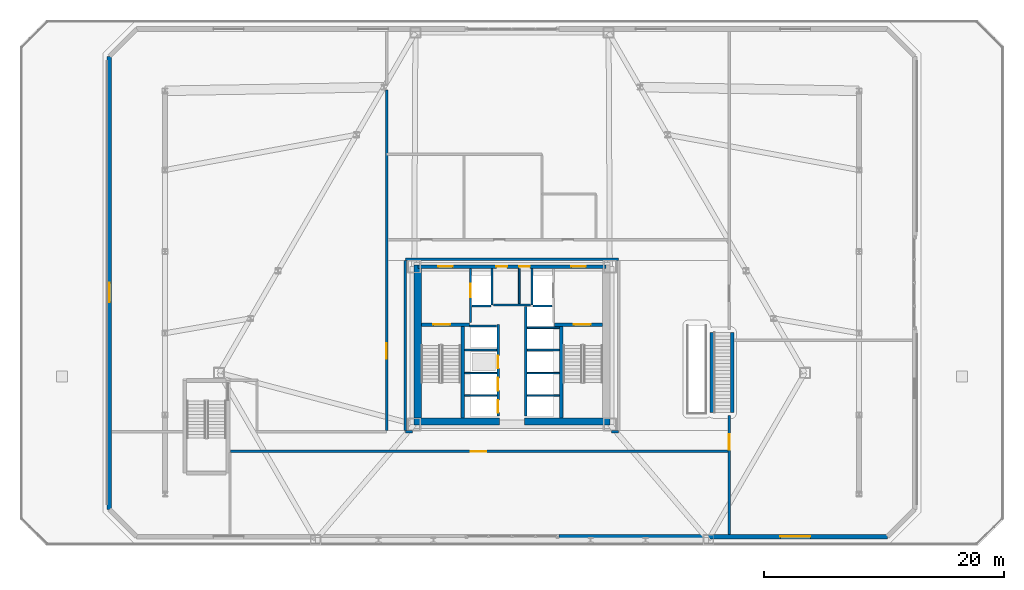
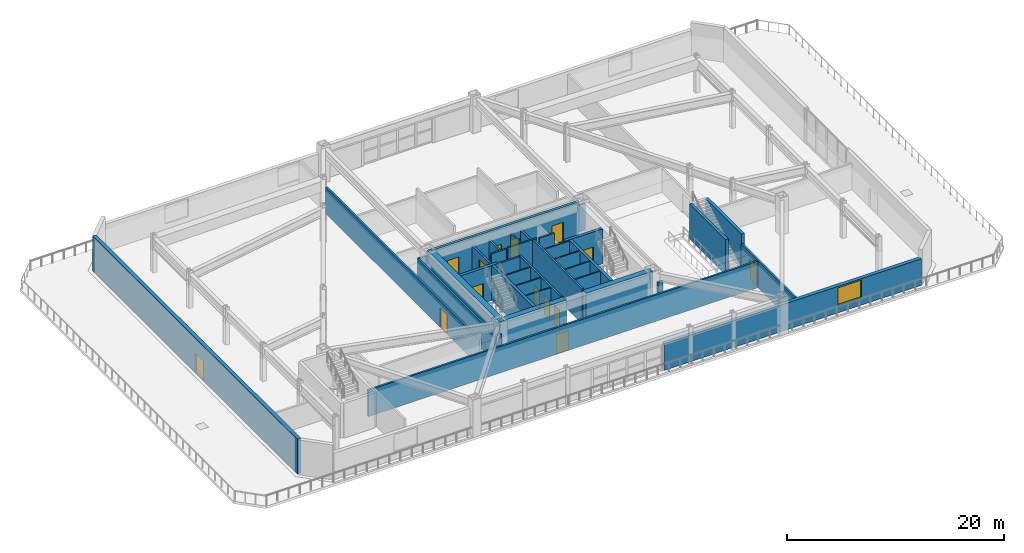
# One storey, part 8 of 16: 36 walls, 14 doors, 1 window, 15 openings.
"""IFC4 building model written with IfcOpenShell, lengths in metres."""

import ifcopenshell
import ifcopenshell.guid

model = None  # the IFC model being written
_history = None  # IfcOwnerHistory: only IFC2X3 demands one
_inside = {}  # id of a spatial element -> (the spatial element, [elements in it])
_under = {}  # id of a project, library or spatial element -> (it, [spatial elements below it])
_declared = {}  # id of a project -> (the project, [libraries it declares])
_typed = {}  # id of a type object -> (the type object, [elements of that type])
_made_of = {}  # id of a material, layer set ... -> (it, [elements and type objects made of it])


def new_model(schema):
    """Start an empty IFC model of exactly this schema.

    Asked for "IFC4X3", IfcOpenShell would pick the latest addendum, in which some entities
    have other attributes; the version numbers below select the first issue.
    IFC2X3 requires an IfcOwnerHistory on every rooted entity: one is made here for all.
    """
    global model, _history
    if schema == "IFC4X3":
        model = ifcopenshell.file(schema_version=(4, 3, 0, 0))
    else:
        model = ifcopenshell.file(schema=schema)
    _inside.clear()
    _under.clear()
    _declared.clear()
    _typed.clear()
    _made_of.clear()
    _history = None
    if model.schema == "IFC2X3":
        org = make("IfcOrganization", Name="unknown")
        user = make(
            "IfcPersonAndOrganization",
            ThePerson=make("IfcPerson", FamilyName="unknown"),
            TheOrganization=org,
        )
        app = make(
            "IfcApplication",
            ApplicationDeveloper=org,
            Version="unknown",
            ApplicationFullName="unknown",
            ApplicationIdentifier="unknown",
        )
        _history = make(
            "IfcOwnerHistory",
            OwningUser=user,
            OwningApplication=app,
            ChangeAction="ADDED",
            CreationDate=0,
        )
    return model


def make(cls, **values):
    """One entity of the class cls with the attributes given. An attribute that is None is left unset."""
    return model.create_entity(
        cls, **{name: value for name, value in values.items() if value is not None}
    )


def rooted(cls, **values):
    """An entity with a GlobalId (a new one), such as an element, a storey or a relation."""
    return make(cls, GlobalId=ifcopenshell.guid.new(), OwnerHistory=_history, **values)


def si_unit(unit_type, name, prefix=None):
    """IfcSIUnit, for example si_unit("LENGTHUNIT", "METRE", prefix="MILLI")."""
    return make("IfcSIUnit", UnitType=unit_type, Prefix=prefix, Name=name)


def assignment(units):
    """IfcUnitAssignment: the units of a project."""
    return None if units is None else make("IfcUnitAssignment", Units=units)


def point(xyz):
    """IfcCartesianPoint."""
    return None if xyz is None else make("IfcCartesianPoint", Coordinates=xyz)


def direction(xyz):
    """IfcDirection."""
    return None if xyz is None else make("IfcDirection", DirectionRatios=xyz)


def frame(location, z_axis=None, x_axis=None):
    """IfcAxis2Placement3D, a coordinate frame: its origin and axes. An axis left out is left unset."""
    return make(
        "IfcAxis2Placement3D",
        Location=point(location),
        Axis=direction(z_axis),
        RefDirection=direction(x_axis),
    )


def frame_2d(location, x_axis=None):
    """IfcAxis2Placement2D, a coordinate frame in the plane: its origin and x axis."""
    return make(
        "IfcAxis2Placement2D", Location=point(location), RefDirection=direction(x_axis)
    )


def origin():
    """The frame at (0, 0, 0) with its axes left unset."""
    return frame((0.0, 0.0, 0.0))


def place(relative_to, where):
    """IfcLocalPlacement: puts the frame where relative to a parent placement (None: the world)."""
    return make(
        "IfcLocalPlacement", PlacementRelTo=relative_to, RelativePlacement=where
    )


def context(
    kind, dimensions, precision=None, world=None, true_north=None, identifier=None
):
    """IfcGeometricRepresentationContext, for example the 3D "Model" context."""
    return make(
        "IfcGeometricRepresentationContext",
        ContextIdentifier=identifier,
        ContextType=kind,
        CoordinateSpaceDimension=dimensions,
        Precision=precision,
        WorldCoordinateSystem=world,
        TrueNorth=true_north,
    )


def subcontext(parent, identifier, kind, view, scale=None):
    """IfcGeometricRepresentationSubContext, for example "Body" below "Model"."""
    return make(
        "IfcGeometricRepresentationSubContext",
        ContextIdentifier=identifier,
        ContextType=kind,
        ParentContext=parent,
        TargetScale=scale,
        TargetView=view,
    )


def project(units=None, contexts=None):
    """IfcProject with its units and contexts."""
    return rooted(
        "IfcProject",
        Name="project",
        RepresentationContexts=contexts,
        UnitsInContext=assignment(units),
    )


def spatial(cls, under=None, at=None, **own):
    """A site, building, storey or space (cls), placed at a placement, below another one or the project."""
    s = rooted(cls, ObjectPlacement=at, **own)
    if under is not None:
        _under.setdefault(under.id(), (under, []))[1].append(s)
    return s


def profile(cls, at=None, kind="AREA", **sizes):
    """A parametric profile (cls). Its sizes go by their IFC names, for example OverallWidth=200.0."""
    return make(cls, ProfileType=kind, Position=at, **sizes)


def rectangle(**sizes):
    """IfcRectangleProfileDef."""
    return profile("IfcRectangleProfileDef", **sizes)


def extrude(swept, where, along, depth):
    """IfcExtrudedAreaSolid: the profile swept, set in the frame where, extruded along a direction by depth."""
    return make(
        "IfcExtrudedAreaSolid",
        SweptArea=swept,
        Position=where,
        ExtrudedDirection=direction(along),
        Depth=depth,
    )


def shape(context_of_items, identifier, shape_type, items):
    """IfcShapeRepresentation: the items that make up one representation, for example the "Body"."""
    return make(
        "IfcShapeRepresentation",
        ContextOfItems=context_of_items,
        RepresentationIdentifier=identifier,
        RepresentationType=shape_type,
        Items=items,
    )


def material(Name=None, Category=None):
    """IfcMaterial."""
    return make("IfcMaterial", Name=Name, Category=Category)


def layer(
    of_material, thickness, ventilated=None, Name=None, Category=None, Priority=None
):
    """IfcMaterialLayer: one layer of a wall or slab, of a material (None: an air gap)."""
    return make(
        "IfcMaterialLayer",
        Material=of_material,
        LayerThickness=thickness,
        IsVentilated=ventilated,
        Name=Name,
        Category=Category,
        Priority=Priority,
    )


def layer_set(layers, Name=None):
    """IfcMaterialLayerSet."""
    return make("IfcMaterialLayerSet", MaterialLayers=layers, LayerSetName=Name)


def made_of(thing, what):
    """Note that an element or type object is made of a material, layer set ...; save() writes the relation."""
    if what is not None:
        _made_of.setdefault(what.id(), (what, []))[1].append(thing)
    return thing


def type_object(cls, material=None, **own):
    """A type object (cls), such as IfcWallType, which elements share."""
    return made_of(rooted(cls, **own), material)


def element(
    cls,
    number,
    at=None,
    inside=None,
    cuts=None,
    type_object=None,
    material=None,
    context=None,
    identifier="Body",
    shape_type=None,
    held_by="IfcProductDefinitionShape",
    body=None,
    shapes=None,
    **own,
):
    """One element of the class cls, such as IfcWall. Its Tag is "e" and its number.

    at: its placement. inside: the storey or other place that contains it. cuts: it is an
    opening in that element (IfcRelVoidsElement). A single representation is given by context,
    identifier, shape_type and body (its items); several are given by shapes. held_by: the class
    of the entity that holds the representations. save() writes the other relations.
    """
    e = rooted(cls, Tag="e%d" % number, ObjectPlacement=at, **own)
    if body is not None:
        shapes = [shape(context, identifier, shape_type, body)]
    if shapes is not None:
        e.Representation = make(held_by, Representations=shapes)
    if inside is not None:
        _inside.setdefault(inside.id(), (inside, []))[1].append(e)
    if cuts is not None:
        rooted(
            "IfcRelVoidsElement", RelatingBuildingElement=cuts, RelatedOpeningElement=e
        )
    if type_object is not None:
        _typed.setdefault(type_object.id(), (type_object, []))[1].append(e)
    return made_of(e, material)


def fill(opening, filler):
    """IfcRelFillsElement: the door or window that sits in an opening."""
    return rooted(
        "IfcRelFillsElement",
        RelatingOpeningElement=opening,
        RelatedBuildingElement=filler,
    )


def aggregate(whole, parts):
    """IfcRelAggregates: a whole, such as a stair, and the parts it consists of."""
    return rooted("IfcRelAggregates", RelatingObject=whole, RelatedObjects=parts)


def save(model, path):
    """Write the relations noted so far, then the file.

    IfcRelAggregates (storeys below a building ...), IfcRelContainedInSpatialStructure (elements
    in a storey), IfcRelDefinesByType, IfcRelAssociatesMaterial and IfcRelDeclares: one each for
    every whole, place, type object, material and project.
    """
    for whole, parts in _under.values():
        aggregate(whole, parts)
    for where, things in _inside.values():
        rooted(
            "IfcRelContainedInSpatialStructure",
            RelatedElements=things,
            RelatingStructure=where,
        )
    for kind, things in _typed.values():
        rooted("IfcRelDefinesByType", RelatedObjects=things, RelatingType=kind)
    for what, things in _made_of.values():
        rooted("IfcRelAssociatesMaterial", RelatedObjects=things, RelatingMaterial=what)
    for by, libraries in _declared.values():
        rooted("IfcRelDeclares", RelatingContext=by, RelatedDefinitions=libraries)
    model.write(path)


model = new_model("IFC4")

# Units and contexts
model_context = context("Model", 3, precision=1e-05, world=origin(), true_north=direction((0.0, 1.0)))
body_context = subcontext(model_context, "Body", "Model", "MODEL_VIEW")
ifc_project = project(units=[si_unit("LENGTHUNIT", "METRE"), si_unit("AREAUNIT", "SQUARE_METRE"), si_unit("VOLUMEUNIT", "CUBIC_METRE"), si_unit("PLANEANGLEUNIT", "RADIAN"), si_unit("MASSUNIT", "GRAM", prefix="KILO")], contexts=[model_context])

# Site, building, storey
site_placement = place(None, origin())
site = spatial("IfcSite", under=ifc_project, at=site_placement, CompositionType="ELEMENT")
building_placement = place(site_placement, origin())
building = spatial("IfcBuilding", under=site, at=building_placement, Name="Oramaril Tower", CompositionType="ELEMENT")
storey_placement = place(building_placement, frame((0.0, 0.0, 9.89990234375)))
storey = spatial("IfcBuildingStorey", under=building, at=storey_placement, Name="L02", CompositionType="ELEMENT", Elevation=9.89990234375)

# Wall, opening, window
ifc_material_1 = material(Name="Warm Cream Limestone", Category="masonry")
ifc_layer_1 = layer(ifc_material_1, 0.3798828125)
ifc_layer_set_1 = layer_set([ifc_layer_1], Name="WT-EXT38")
wall_type_1 = type_object("IfcWallType", Name="WT-EXT38", PredefinedType="SOLIDWALL", material=ifc_layer_set_1)
wall_1_placement = place(storey_placement, frame((41.39990234375, 1.64990234375, 0.0), z_axis=(0.0, 0.0, 1.0), x_axis=(1.0, 0.0, 0.0)))
wall_1 = element("IfcWall", 1, at=wall_1_placement, inside=storey, type_object=wall_type_1, Name="L02 Limestone Facade Wall EW-1B", PredefinedType="SOLIDWALL", context=body_context, shape_type="SweptSolid", body=[
    extrude(rectangle(XDim=27.372314453125, YDim=0.3798828125, at=frame_2d((13.68603515625, 0.0))), origin(), (0.0, 0.0, 1.0), 2.983154296875),
])
opening_1_placement = place(wall_1_placement, frame((18.4580078125, 0.0, 0.85009765625)))
opening_1 = element("IfcOpeningElement", 2, at=opening_1_placement, cuts=wall_1, Name="Opening WN-11", PredefinedType="OPENING", context=body_context, shape_type="SweptSolid", body=[
    extrude(rectangle(XDim=2.5, YDim=1.962890625, at=frame_2d((1.25, 0.9814453125))), frame((0.0, 0.18994140625, 0.0), z_axis=(0.0, -1.0, 0.0), x_axis=(1.0, 0.0, 0.0)), (0.0, 0.0, 1.0), 0.3798828125),
])
ifc_material_2 = material(Name="Coastal Low-E Insulated Glass", Category="glass")
window_type = type_object("IfcWindowType", Name="WNT-11", PartitioningType="SINGLE_PANEL", PredefinedType="WINDOW", material=ifc_material_2)
window_placement = place(opening_1_placement, origin())
window = element("IfcWindow", 3, at=window_placement, inside=storey, type_object=window_type, Name="L02 Podium Chicago Window", OverallHeight=1.962890625, OverallWidth=2.5, PartitioningType="SINGLE_PANEL", PredefinedType="WINDOW", context=body_context, shape_type="SweptSolid", body=[
    extrude(rectangle(XDim=2.5, YDim=1.962890625, at=frame_2d((1.25, 0.9814453125))), frame((0.0, 0.030029296875, 0.0), z_axis=(0.0, -1.0, 0.0), x_axis=(1.0, 0.0, 0.0)), (0.0, 0.0, 1.0), 0.06005859375),
])
fill(opening_1, window)

# Wall, opening, door
wall_2_placement = place(storey_placement, frame((3.949951171875, 41.672119140625, 0.0), z_axis=(0.0, 0.0, 1.0), x_axis=(0.0, -1.0, 0.0)))
wall_2 = element("IfcWall", 4, at=wall_2_placement, inside=storey, type_object=wall_type_1, Name="L02 Limestone Facade Wall EW-7M", PredefinedType="SOLIDWALL", context=body_context, shape_type="SweptSolid", body=[
    extrude(rectangle(XDim=37.744384765625, YDim=0.3798828125, at=frame_2d((18.8720703125, 0.0))), origin(), (0.0, 0.0, 1.0), 3.920166015625),
])
opening_2_placement = place(wall_2_placement, frame((18.872314453125, 0.0, 0.0)))
opening_2 = element("IfcOpeningElement", 5, at=opening_2_placement, cuts=wall_2, Name="Opening D-L02-T1", PredefinedType="OPENING", context=body_context, shape_type="SweptSolid", body=[
    extrude(rectangle(XDim=1.60009765625, YDim=2.199951171875, at=frame_2d((0.800048828125, 1.10009765625))), frame((0.0, 0.18994140625, 0.0), z_axis=(0.0, -1.0, 0.0), x_axis=(1.0, 0.0, 0.0)), (0.0, 0.0, 1.0), 0.3798828125),
])
ifc_material_3 = material(Name="Anodised Aluminium 6063-T6", Category="aluminium")
door_type_1 = type_object("IfcDoorType", Name="DT-TER", OperationType="NOTDEFINED", PredefinedType="DOOR", material=ifc_material_3)
door_1_placement = place(opening_2_placement, origin())
door_1 = element("IfcDoor", 6, at=door_1_placement, inside=storey, type_object=door_type_1, Name="L02 Podium Terrace Access Door 1", OperationType="SINGLE_SWING_LEFT", OverallHeight=2.199951171875, OverallWidth=1.60009765625, PredefinedType="DOOR", context=body_context, shape_type="SweptSolid", body=[
    extrude(rectangle(XDim=1.60009765625, YDim=2.199951171875, at=frame_2d((0.800048828125, 1.10009765625))), frame((0.0, 0.02490234375, 0.0), z_axis=(0.0, -1.0, 0.0), x_axis=(1.0, 0.0, 0.0)), (0.0, 0.0, 1.0), 0.050048828125),
])
fill(opening_2, door_1)

# Walls
ifc_material_4 = material(Name="Acoustic Gypsum Board Partition")
ifc_layer_2 = layer(ifc_material_4, 0.139892578125)
ifc_layer_set_2 = layer_set([ifc_layer_2], Name="WT-PT14")
wall_type_2 = type_object("IfcWallType", Name="WT-PT14", PredefinedType="PARTITIONING", material=ifc_layer_set_2)
for number, where, z_axis, x_axis, name in (
    (7, (33.56005859375, 13.419921875, 0.0), (0.0, 0.0, 1.0), (1.0, 0.0, 0.0), "L02 West Lift Divider"),
    (8, (33.56005859375, 15.27001953125, 0.0), (0.0, 0.0, 1.0), (1.0, 0.0, 0.0), "L02 West Lift Divider"),
    (9, (33.56005859375, 17.199951171875, 0.0), (0.0, 0.0, 1.0), (1.0, 0.0, 0.0), "L02 West Lift Divider"),
    (10, (38.780029296875, 13.419921875, 0.0), (0.0, 0.0, 1.0), (1.0, 0.0, 0.0), "L02 East Lift Divider"),
    (11, (38.780029296875, 15.27001953125, 0.0), (0.0, 0.0, 1.0), (1.0, 0.0, 0.0), "L02 East Lift Divider"),
    (12, (38.780029296875, 17.199951171875, 0.0), (0.0, 0.0, 1.0), (1.0, 0.0, 0.0), "L02 East Lift Divider"),
    (13, (38.780029296875, 19.050048828125, 0.0), (0.0, 0.0, 1.0), (1.0, 0.0, 0.0), "L02 East Lift Divider"),
):
    element("IfcWall", number, at=place(storey_placement, frame(where, z_axis=z_axis, x_axis=x_axis)), inside=storey, type_object=wall_type_2, Name=name, PredefinedType="PARTITIONING", context=body_context, shape_type="SweptSolid", body=[
        extrude(rectangle(XDim=2.659912109375, YDim=0.139892578125, at=frame_2d((1.330078125, 0.0))), origin(), (0.0, 0.0, 1.0), 3.920166015625),
    ])
wall_3_placement = place(storey_placement, frame((38.110107421875, 21.06005859375, 0.0), z_axis=(0.0, 0.0, 1.0), x_axis=(0.0, 1.0, 0.0)))
element("IfcWall", 14, at=wall_3_placement, inside=storey, type_object=wall_type_2, Name="L02 Core Service Divider", PredefinedType="PARTITIONING", context=body_context, shape_type="SweptSolid", body=[
    extrude(rectangle(XDim=2.919921875, YDim=0.139892578125, at=frame_2d((1.4599609375, 0.0))), origin(), (0.0, 0.0, 1.0), 2.960205078125),
])
ifc_material_5 = material(Name="Autoclaved Cellular Concrete Block", Category="concrete")
ifc_layer_3 = layer(ifc_material_5, 0.179931640625)
ifc_layer_set_3 = layer_set([ifc_layer_3], Name="WT-PT18")
wall_type_3 = type_object("IfcWallType", Name="WT-PT18", PredefinedType="PARTITIONING", material=ifc_layer_set_3)
wall_4_placement = place(storey_placement, frame((35.840087890625, 20.9599609375, 0.0), z_axis=(0.0, 0.0, 1.0), x_axis=(0.0, 1.0, 0.0)))
element("IfcWall", 15, at=wall_4_placement, inside=storey, type_object=wall_type_3, Name="L02 FL-1 East Shaft Wall", PredefinedType="PARTITIONING", context=body_context, shape_type="SweptSolid", body=[
    extrude(rectangle(XDim=3.02001953125, YDim=0.179931640625, at=frame_2d((1.510009765625, 0.0))), origin(), (0.0, 0.0, 1.0), 2.960205078125),
])
wall_5_placement = place(storey_placement, frame((34.159912109375, 20.860107421875, 0.0), z_axis=(0.0, 0.0, 1.0), x_axis=(1.0, 0.0, 0.0)))
element("IfcWall", 16, at=wall_5_placement, inside=storey, type_object=wall_type_3, Name="L02 FL-1 South Shaft Wall", PredefinedType="PARTITIONING", context=body_context, shape_type="SweptSolid", body=[
    extrude(rectangle(XDim=1.580078125, YDim=0.179931640625, at=frame_2d((0.7900390625, 0.0))), origin(), (0.0, 0.0, 1.0), 3.920166015625),
])
wall_6_placement = place(storey_placement, frame((39.159912109375, 20.9599609375, 0.0), z_axis=(0.0, 0.0, 1.0), x_axis=(0.0, 1.0, 0.0)))
element("IfcWall", 17, at=wall_6_placement, inside=storey, type_object=wall_type_3, Name="L02 FL-2 West Shaft Wall", PredefinedType="PARTITIONING", context=body_context, shape_type="SweptSolid", body=[
    extrude(rectangle(XDim=3.02001953125, YDim=0.179931640625, at=frame_2d((1.510009765625, 0.0))), origin(), (0.0, 0.0, 1.0), 2.960205078125),
])
wall_7_placement = place(storey_placement, frame((39.260009765625, 20.860107421875, 0.0), z_axis=(0.0, 0.0, 1.0), x_axis=(1.0, 0.0, 0.0)))
element("IfcWall", 18, at=wall_7_placement, inside=storey, type_object=wall_type_3, Name="L02 FL-2 South Shaft Wall", PredefinedType="PARTITIONING", context=body_context, shape_type="SweptSolid", body=[
    extrude(rectangle(XDim=1.580078125, YDim=0.179931640625, at=frame_2d((0.7900390625, 0.0))), origin(), (0.0, 0.0, 1.0), 3.920166015625),
])
wall_8_placement = place(storey_placement, frame((33.949951171875, 19.199951171875, 0.0), z_axis=(0.0, 0.0, 1.0), x_axis=(1.0, 0.0, 0.0)))
element("IfcWall", 19, at=wall_8_placement, inside=storey, type_object=wall_type_3, Name="L02 High-Rise Lift H1 North Shaft Wall", PredefinedType="PARTITIONING", context=body_context, shape_type="SweptSolid", body=[
    extrude(rectangle(XDim=2.27001953125, YDim=0.179931640625, at=frame_2d((1.135009765625, 0.0))), origin(), (0.0, 0.0, 1.0), 3.920166015625),
])
wall_9_placement = place(storey_placement, frame((35.949951171875, 20.949951171875, 0.0), z_axis=(0.0, 0.0, 1.0), x_axis=(1.0, 0.0, 0.0)))
element("IfcWall", 20, at=wall_9_placement, inside=storey, type_object=wall_type_3, Name="L02 Lift Lobby North Partition", PredefinedType="PARTITIONING", context=body_context, shape_type="SweptSolid", body=[
    extrude(rectangle(XDim=3.10009765625, YDim=0.179931640625, at=frame_2d((1.550048828125, 0.0))), origin(), (0.0, 0.0, 1.0), 3.920166015625),
])

# Wall, opening, door
ifc_material_6 = material(Name="Autoclaved Cellular Concrete Block", Category="concrete")
ifc_layer_4 = layer(ifc_material_6, 0.199951171875)
ifc_layer_set_4 = layer_set([ifc_layer_4], Name="WT-PT20")
wall_type_4 = type_object("IfcWallType", Name="WT-PT20", PredefinedType="PARTITIONING", material=ifc_layer_set_4)
wall_10_placement = place(storey_placement, frame((14.030029296875, 8.75, 0.0), z_axis=(0.0, 0.0, 1.0), x_axis=(1.0, 0.0, 0.0)))
wall_10 = element("IfcWall", 21, at=wall_10_placement, inside=storey, type_object=wall_type_4, Name="L02 Interior Partition PT-20", PredefinedType="PARTITIONING", context=body_context, shape_type="SweptSolid", body=[
    extrude(rectangle(XDim=41.570068359375, YDim=0.199951171875, at=frame_2d((20.78515625, 0.0))), origin(), (0.0, 0.0, 1.0), 2.983154296875),
])
opening_3_placement = place(wall_10_placement, frame((20.034912109375, 0.0, 0.0)))
opening_3 = element("IfcOpeningElement", 22, at=opening_3_placement, cuts=wall_10, Name="Opening D-L02-01", PredefinedType="OPENING", context=body_context, shape_type="SweptSolid", body=[
    extrude(rectangle(XDim=1.300048828125, YDim=2.199951171875, at=frame_2d((0.64990234375, 1.10009765625))), frame((0.0, 0.10009765625, 0.0), z_axis=(0.0, -1.0, 0.0), x_axis=(1.0, 0.0, 0.0)), (0.0, 0.0, 1.0), 0.199951171875),
])
ifc_material_7 = material(Name="FSC Brazilian Freijo Hardwood", Category="wood")
door_type_2 = type_object("IfcDoorType", Name="DT-COM", OperationType="NOTDEFINED", PredefinedType="DOOR", material=ifc_material_7)
door_2_placement = place(opening_3_placement, origin())
door_2 = element("IfcDoor", 23, at=door_2_placement, inside=storey, type_object=door_type_2, Name="L02 L02 Gourmet Dining Lounge Door D-L02-01", OperationType="SINGLE_SWING_RIGHT", OverallHeight=2.199951171875, OverallWidth=1.300048828125, PredefinedType="DOOR", context=body_context, shape_type="SweptSolid", body=[
    extrude(rectangle(XDim=1.300048828125, YDim=2.199951171875, at=frame_2d((0.64990234375, 1.10009765625))), frame((0.0, 0.02490234375, 0.0), z_axis=(0.0, -1.0, 0.0), x_axis=(1.0, 0.0, 0.0)), (0.0, 0.0, 1.0), 0.050048828125),
])
fill(opening_3, door_2)

# Walls
for number, where, z_axis, x_axis, name in (
    (24, (28.6201171875, 10.39990234375, 0.0), (0.0, 0.0, 1.0), (1.0, 0.0, 0.0), "L02 Interior Partition PT-20"),
    (25, (45.800048828125, 10.39990234375, 0.0), (0.0, 0.0, 1.0), (1.0, 0.0, 0.0), "L02 Interior Partition PT-20"),
):
    element("IfcWall", number, at=place(storey_placement, frame(where, z_axis=z_axis, x_axis=x_axis)), inside=storey, type_object=wall_type_4, Name=name, PredefinedType="PARTITIONING", context=body_context, shape_type="SweptSolid", body=[
        extrude(rectangle(XDim=0.579833984375, YDim=0.199951171875, at=frame_2d((0.2900390625, 0.0))), origin(), (0.0, 0.0, 1.0), 2.983154296875),
    ])
wall_11_placement = place(storey_placement, frame((28.6201171875, 24.75, 0.0), z_axis=(0.0, 0.0, 1.0), x_axis=(1.0, 0.0, 0.0)))
element("IfcWall", 26, at=wall_11_placement, inside=storey, type_object=wall_type_4, Name="L02 Interior Partition PT-20", PredefinedType="PARTITIONING", context=body_context, shape_type="SweptSolid", body=[
    extrude(rectangle(XDim=17.759765625, YDim=0.199951171875, at=frame_2d((8.8798828125, 0.0))), origin(), (0.0, 0.0, 1.0), 2.983154296875),
])

# Wall, opening, door
wall_12_placement = place(storey_placement, frame((27.050048828125, 10.50390625, 0.0), z_axis=(0.0, 0.0, 1.0), x_axis=(0.0, 1.0, 0.0)))
wall_12 = element("IfcWall", 27, at=wall_12_placement, inside=storey, type_object=wall_type_4, Name="L02 Interior Partition PT-20", PredefinedType="PARTITIONING", context=body_context, shape_type="SweptSolid", body=[
    extrude(rectangle(XDim=28.375732421875, YDim=0.199951171875, at=frame_2d((14.18798828125, 0.0))), origin(), (0.0, 0.0, 1.0), 2.983154296875),
])
opening_4_placement = place(wall_12_placement, frame((5.975341796875, 0.0, 0.0)))
opening_4 = element("IfcOpeningElement", 28, at=opening_4_placement, cuts=wall_12, Name="Opening D-L02-05", PredefinedType="OPENING", context=body_context, shape_type="SweptSolid", body=[
    extrude(rectangle(XDim=1.300048828125, YDim=2.199951171875, at=frame_2d((0.64990234375, 1.10009765625))), frame((0.0, 0.10009765625, 0.0), z_axis=(0.0, -1.0, 0.0), x_axis=(1.0, 0.0, 0.0)), (0.0, 0.0, 1.0), 0.199951171875),
])
door_3_placement = place(opening_4_placement, origin())
door_3 = element("IfcDoor", 29, at=door_3_placement, inside=storey, type_object=door_type_2, Name="L02 L02 West Terrace Club Lounge Door D-L02-05", OperationType="SINGLE_SWING_RIGHT", OverallHeight=2.199951171875, OverallWidth=1.300048828125, PredefinedType="DOOR", context=body_context, shape_type="SweptSolid", body=[
    extrude(rectangle(XDim=1.300048828125, YDim=2.199951171875, at=frame_2d((0.64990234375, 1.10009765625))), frame((0.0, 0.02490234375, 0.0), z_axis=(0.0, -1.0, 0.0), x_axis=(1.0, 0.0, 0.0)), (0.0, 0.0, 1.0), 0.050048828125),
])
fill(opening_4, door_3)

# Wall
wall_13_placement = place(storey_placement, frame((28.6201171875, 10.50390625, 0.0), z_axis=(0.0, 0.0, 1.0), x_axis=(0.0, 1.0, 0.0)))
element("IfcWall", 30, at=wall_13_placement, inside=storey, type_object=wall_type_4, Name="L02 Interior Partition PT-20", PredefinedType="PARTITIONING", context=body_context, shape_type="SweptSolid", body=[
    extrude(rectangle(XDim=14.14208984375, YDim=0.199951171875, at=frame_2d((7.071044921875, 0.0))), origin(), (0.0, 0.0, 1.0), 2.983154296875),
])

# Wall, opening, door
wall_14_placement = place(storey_placement, frame((55.60009765625, 1.843994140625, 0.0), z_axis=(0.0, 0.0, 1.0), x_axis=(0.0, 1.0, 0.0)))
wall_14 = element("IfcWall", 31, at=wall_14_placement, inside=storey, type_object=wall_type_4, Name="L02 Interior Partition PT-20", PredefinedType="PARTITIONING", context=body_context, shape_type="SweptSolid", body=[
    extrude(rectangle(XDim=9.885986328125, YDim=0.199951171875, at=frame_2d((4.94287109375, 0.0))), origin(), (0.0, 0.0, 1.0), 3.05419921875),
])
opening_5_placement = place(wall_14_placement, frame((7.055908203125, 0.0, 0.0)))
opening_5 = element("IfcOpeningElement", 32, at=opening_5_placement, cuts=wall_14, Name="Opening D-L02-06", PredefinedType="OPENING", context=body_context, shape_type="SweptSolid", body=[
    extrude(rectangle(XDim=1.300048828125, YDim=2.199951171875, at=frame_2d((0.64990234375, 1.10009765625))), frame((0.0, 0.10009765625, 0.0), z_axis=(0.0, -1.0, 0.0), x_axis=(1.0, 0.0, 0.0)), (0.0, 0.0, 1.0), 0.199951171875),
])
door_4_placement = place(opening_5_placement, origin())
door_4 = element("IfcDoor", 33, at=door_4_placement, inside=storey, type_object=door_type_2, Name="L02 L02 Banquet Catering Kitchen Door D-L02-06", OperationType="SINGLE_SWING_LEFT", OverallHeight=2.199951171875, OverallWidth=1.300048828125, PredefinedType="DOOR", context=body_context, shape_type="SweptSolid", body=[
    extrude(rectangle(XDim=1.300048828125, YDim=2.199951171875, at=frame_2d((0.64990234375, 1.10009765625))), frame((0.0, 0.02490234375, 0.0), z_axis=(0.0, -1.0, 0.0), x_axis=(1.0, 0.0, 0.0)), (0.0, 0.0, 1.0), 0.050048828125),
])
fill(opening_5, door_4)

# Wall, openings, doors
ifc_material_8 = material(Name="Concrete C50/60", Category="concrete")
ifc_layer_5 = layer(ifc_material_8, 0.300048828125)
ifc_layer_set_5 = layer_set([ifc_layer_5], Name="WT-SH30")
wall_type_5 = type_object("IfcWallType", Name="WT-SH30", PredefinedType="SHEAR", material=ifc_layer_set_5)
wall_15_placement = place(storey_placement, frame((29.64990234375, 24.14990234375, 0.0), z_axis=(0.0, 0.0, 1.0), x_axis=(1.0, 0.0, 0.0)))
wall_15 = element("IfcWall", 34, at=wall_15_placement, inside=storey, type_object=wall_type_5, Name="L02 Core Shear Wall CW-N", PredefinedType="SHEAR", context=body_context, shape_type="SweptSolid", body=[
    extrude(rectangle(XDim=15.7001953125, YDim=0.300048828125, at=frame_2d((7.85009765625, 0.0))), origin(), (0.0, 0.0, 1.0), 3.920166015625),
])
opening_6_placement = place(wall_15_placement, frame((1.699951171875, 0.0, 0.0)))
opening_6 = element("IfcOpeningElement", 35, at=opening_6_placement, cuts=wall_15, Name="Opening D-L02-FFL1", PredefinedType="OPENING", context=body_context, shape_type="SweptSolid", body=[
    extrude(rectangle(XDim=1.199951171875, YDim=2.199951171875, at=frame_2d((0.60009765625, 1.10009765625))), frame((0.0, 0.14990234375, 0.0), z_axis=(0.0, -1.0, 0.0), x_axis=(1.0, 0.0, 0.0)), (0.0, 0.0, 1.0), 0.300048828125),
])
opening_7_placement = place(wall_15_placement, frame((12.800048828125, 0.0, 0.0)))
opening_7 = element("IfcOpeningElement", 36, at=opening_7_placement, cuts=wall_15, Name="Opening D-L02-FFL2", PredefinedType="OPENING", context=body_context, shape_type="SweptSolid", body=[
    extrude(rectangle(XDim=1.199951171875, YDim=2.199951171875, at=frame_2d((0.60009765625, 1.10009765625))), frame((0.0, 0.14990234375, 0.0), z_axis=(0.0, -1.0, 0.0), x_axis=(1.0, 0.0, 0.0)), (0.0, 0.0, 1.0), 0.300048828125),
])
opening_8_placement = place(wall_15_placement, frame((6.550048828125, 0.0, 0.0)))
opening_8 = element("IfcOpeningElement", 37, at=opening_8_placement, cuts=wall_15, Name="Opening D-L02-SV1", PredefinedType="OPENING", context=body_context, shape_type="SweptSolid", body=[
    extrude(rectangle(XDim=0.89990234375, YDim=2.050048828125, at=frame_2d((0.449951171875, 1.02490234375))), frame((0.0, 0.14990234375, 0.0), z_axis=(0.0, -1.0, 0.0), x_axis=(1.0, 0.0, 0.0)), (0.0, 0.0, 1.0), 0.300048828125),
])
opening_9_placement = place(wall_15_placement, frame((8.449951171875, 0.0, 0.0)))
opening_9 = element("IfcOpeningElement", 38, at=opening_9_placement, cuts=wall_15, Name="Opening D-L02-SV2", PredefinedType="OPENING", context=body_context, shape_type="SweptSolid", body=[
    extrude(rectangle(XDim=0.89990234375, YDim=2.050048828125, at=frame_2d((0.449951171875, 1.02490234375))), frame((0.0, 0.14990234375, 0.0), z_axis=(0.0, -1.0, 0.0), x_axis=(1.0, 0.0, 0.0)), (0.0, 0.0, 1.0), 0.300048828125),
])
ifc_material_9 = material(Name="Painted Galvanised Steel", Category="steel")
door_type_3 = type_object("IfcDoorType", Name="DT-FFL", OperationType="NOTDEFINED", PredefinedType="DOOR", material=ifc_material_9)
door_5_placement = place(opening_6_placement, origin())
door_5 = element("IfcDoor", 39, at=door_5_placement, inside=storey, type_object=door_type_3, Name="L02 Firefighting Lobby 1 Fire Door", OperationType="SINGLE_SWING_LEFT", OverallHeight=2.199951171875, OverallWidth=1.199951171875, PredefinedType="DOOR", context=body_context, shape_type="SweptSolid", body=[
    extrude(rectangle(XDim=1.199951171875, YDim=2.199951171875, at=frame_2d((0.60009765625, 1.10009765625))), frame((0.0, 0.02490234375, 0.0), z_axis=(0.0, -1.0, 0.0), x_axis=(1.0, 0.0, 0.0)), (0.0, 0.0, 1.0), 0.050048828125),
])
fill(opening_6, door_5)
door_6_placement = place(opening_7_placement, origin())
door_6 = element("IfcDoor", 40, at=door_6_placement, inside=storey, type_object=door_type_3, Name="L02 Firefighting Lobby 2 Fire Door", OperationType="SINGLE_SWING_RIGHT", OverallHeight=2.199951171875, OverallWidth=1.199951171875, PredefinedType="DOOR", context=body_context, shape_type="SweptSolid", body=[
    extrude(rectangle(XDim=1.199951171875, YDim=2.199951171875, at=frame_2d((0.60009765625, 1.10009765625))), frame((0.0, 0.02490234375, 0.0), z_axis=(0.0, -1.0, 0.0), x_axis=(1.0, 0.0, 0.0)), (0.0, 0.0, 1.0), 0.050048828125),
])
fill(opening_7, door_6)
ifc_material_10 = material(Name="Painted Galvanised Steel", Category="steel")
door_type_4 = type_object("IfcDoorType", Name="DT-SVC", OperationType="NOTDEFINED", PredefinedType="DOOR", material=ifc_material_10)
door_7_placement = place(opening_8_placement, origin())
door_7 = element("IfcDoor", 41, at=door_7_placement, inside=storey, type_object=door_type_4, Name="L02 Core Service Store 1 Door", OperationType="SINGLE_SWING_LEFT", OverallHeight=2.050048828125, OverallWidth=0.89990234375, PredefinedType="DOOR", context=body_context, shape_type="SweptSolid", body=[
    extrude(rectangle(XDim=0.89990234375, YDim=2.050048828125, at=frame_2d((0.449951171875, 1.02490234375))), frame((0.0, 0.02490234375, 0.0), z_axis=(0.0, -1.0, 0.0), x_axis=(1.0, 0.0, 0.0)), (0.0, 0.0, 1.0), 0.050048828125),
])
fill(opening_8, door_7)
door_8_placement = place(opening_9_placement, origin())
door_8 = element("IfcDoor", 42, at=door_8_placement, inside=storey, type_object=door_type_4, Name="L02 Core Service Store 2 Door", OperationType="SINGLE_SWING_RIGHT", OverallHeight=2.050048828125, OverallWidth=0.89990234375, PredefinedType="DOOR", context=body_context, shape_type="SweptSolid", body=[
    extrude(rectangle(XDim=0.89990234375, YDim=2.050048828125, at=frame_2d((0.449951171875, 1.02490234375))), frame((0.0, 0.02490234375, 0.0), z_axis=(0.0, -1.0, 0.0), x_axis=(1.0, 0.0, 0.0)), (0.0, 0.0, 1.0), 0.050048828125),
])
fill(opening_9, door_8)

# Wall, opening, door
wall_16_placement = place(storey_placement, frame((29.93994140625, 19.31005859375, 0.0), z_axis=(0.0, 0.0, 1.0), x_axis=(1.0, 0.0, 0.0)))
wall_16 = element("IfcWall", 43, at=wall_16_placement, inside=storey, type_object=wall_type_5, Name="L02 Core Shear Wall CW-ST1N", PredefinedType="SHEAR", context=body_context, shape_type="SweptSolid", body=[
    extrude(rectangle(XDim=4.010009765625, YDim=0.300048828125, at=frame_2d((2.0048828125, 0.0))), origin(), (0.0, 0.0, 1.0), 3.920166015625),
])
opening_10_placement = place(wall_16_placement, frame((1.010009765625, 0.0, 0.0)))
opening_10 = element("IfcOpeningElement", 44, at=opening_10_placement, cuts=wall_16, Name="Opening D-L02-ST1", PredefinedType="OPENING", context=body_context, shape_type="SweptSolid", body=[
    extrude(rectangle(XDim=1.39990234375, YDim=2.199951171875, at=frame_2d((0.699951171875, 1.10009765625))), frame((0.0, 0.14990234375, 0.0), z_axis=(0.0, -1.0, 0.0), x_axis=(1.0, 0.0, 0.0)), (0.0, 0.0, 1.0), 0.300048828125),
])
ifc_material_11 = material(Name="Painted Galvanised Steel", Category="steel")
door_type_5 = type_object("IfcDoorType", Name="DT-ST", OperationType="NOTDEFINED", PredefinedType="DOOR", material=ifc_material_11)
door_9_placement = place(opening_10_placement, origin())
door_9 = element("IfcDoor", 45, at=door_9_placement, inside=storey, type_object=door_type_5, Name="L02 Protected Stair ST-1 Fire Door", OperationType="SINGLE_SWING_LEFT", OverallHeight=2.199951171875, OverallWidth=1.39990234375, PredefinedType="DOOR", context=body_context, shape_type="SweptSolid", body=[
    extrude(rectangle(XDim=1.39990234375, YDim=2.199951171875, at=frame_2d((0.699951171875, 1.10009765625))), frame((0.0, 0.02490234375, 0.0), z_axis=(0.0, -1.0, 0.0), x_axis=(1.0, 0.0, 0.0)), (0.0, 0.0, 1.0), 0.050048828125),
])
fill(opening_10, door_9)

wall_17_placement = place(storey_placement, frame((41.050048828125, 19.31005859375, 0.0), z_axis=(0.0, 0.0, 1.0), x_axis=(1.0, 0.0, 0.0)))
wall_17 = element("IfcWall", 46, at=wall_17_placement, inside=storey, type_object=wall_type_5, Name="L02 Core Shear Wall CW-ST2N", PredefinedType="SHEAR", context=body_context, shape_type="SweptSolid", body=[
    extrude(rectangle(XDim=4.010009765625, YDim=0.300048828125, at=frame_2d((2.0048828125, 0.0))), origin(), (0.0, 0.0, 1.0), 3.920166015625),
])
opening_11_placement = place(wall_17_placement, frame((1.60009765625, 0.0, 0.0)))
opening_11 = element("IfcOpeningElement", 47, at=opening_11_placement, cuts=wall_17, Name="Opening D-L02-ST2", PredefinedType="OPENING", context=body_context, shape_type="SweptSolid", body=[
    extrude(rectangle(XDim=1.39990234375, YDim=2.199951171875, at=frame_2d((0.699951171875, 1.10009765625))), frame((0.0, 0.14990234375, 0.0), z_axis=(0.0, -1.0, 0.0), x_axis=(1.0, 0.0, 0.0)), (0.0, 0.0, 1.0), 0.300048828125),
])
door_10_placement = place(opening_11_placement, origin())
door_10 = element("IfcDoor", 48, at=door_10_placement, inside=storey, type_object=door_type_5, Name="L02 Protected Stair ST-2 Fire Door", OperationType="SINGLE_SWING_RIGHT", OverallHeight=2.199951171875, OverallWidth=1.39990234375, PredefinedType="DOOR", context=body_context, shape_type="SweptSolid", body=[
    extrude(rectangle(XDim=1.39990234375, YDim=2.199951171875, at=frame_2d((0.699951171875, 1.10009765625))), frame((0.0, 0.02490234375, 0.0), z_axis=(0.0, -1.0, 0.0), x_axis=(1.0, 0.0, 0.0)), (0.0, 0.0, 1.0), 0.050048828125),
])
fill(opening_11, door_10)

# Walls
for number, where, z_axis, x_axis, name in (
    (49, (33.3798828125, 11.5400390625, 0.0), (0.0, 0.0, 1.0), (0.0, 1.0, 0.0), "L02 Core Shear Wall CW-ST1E"),
    (50, (41.6201171875, 11.5400390625, 0.0), (0.0, 0.0, 1.0), (0.0, 1.0, 0.0), "L02 Core Shear Wall CW-ST2W"),
):
    element("IfcWall", number, at=place(storey_placement, frame(where, z_axis=z_axis, x_axis=x_axis)), inside=storey, type_object=wall_type_5, Name=name, PredefinedType="SHEAR", context=body_context, shape_type="SweptSolid", body=[
        extrude(rectangle(XDim=7.619873046875, YDim=0.300048828125, at=frame_2d((3.81005859375, 0.0))), origin(), (0.0, 0.0, 1.0), 3.920166015625),
    ])
for number, where, z_axis, x_axis, name in (
    (51, (54.135009765625, 12.0, 0.0), (0.0, 0.0, 1.0), (0.0, 1.0, 0.0), "L02 Feature Stair ST-5 Support Wall L"),
    (52, (55.864990234375, 12.0, 0.0), (0.0, 0.0, 1.0), (0.0, 1.0, 0.0), "L02 Feature Stair ST-5 Support Wall R"),
):
    element("IfcWall", number, at=place(storey_placement, frame(where, z_axis=z_axis, x_axis=x_axis)), inside=storey, type_object=wall_type_5, Name=name, PredefinedType="SHEAR", context=body_context, shape_type="SweptSolid", body=[
        extrude(rectangle(XDim=6.669921875, YDim=0.300048828125, at=frame_2d((3.3349609375, 0.0))), origin(), (0.0, 0.0, 1.0), 3.920166015625),
    ])
ifc_material_12 = material(Name="Concrete C50/60", Category="concrete")
ifc_layer_6 = layer(ifc_material_12, 0.60009765625)
ifc_layer_set_6 = layer_set([ifc_layer_6], Name="WT-SH60")
wall_type_6 = type_object("IfcWallType", Name="WT-SH60", PredefinedType="SHEAR", material=ifc_layer_set_6)
wall_18_placement = place(storey_placement, frame((29.639892578125, 11.0, 0.0), z_axis=(0.0, 0.0, 1.0), x_axis=(0.0, 1.0, 0.0)))
element("IfcWall", 53, at=wall_18_placement, inside=storey, type_object=wall_type_6, Name="L02 Core Shear Wall CW-W", PredefinedType="SHEAR", context=body_context, shape_type="SweptSolid", body=[
    extrude(rectangle(XDim=13.300048828125, YDim=0.60009765625, at=frame_2d((6.64990234375, 0.0))), origin(), (0.0, 0.0, 1.0), 3.920166015625),
])
for number, where, z_axis, x_axis, name in (
    (54, (29.35009765625, 11.239990234375, 0.0), (0.0, 0.0, 1.0), (1.0, 0.0, 0.0), "L02 Core Shear Wall CW-SW"),
    (55, (38.550048828125, 11.239990234375, 0.0), (0.0, 0.0, 1.0), (1.0, 0.0, 0.0), "L02 Core Shear Wall CW-SE"),
):
    element("IfcWall", number, at=place(storey_placement, frame(where, z_axis=z_axis, x_axis=x_axis)), inside=storey, type_object=wall_type_6, Name=name, PredefinedType="SHEAR", context=body_context, shape_type="SweptSolid", body=[
        extrude(rectangle(XDim=7.099853515625, YDim=0.60009765625, at=frame_2d((3.5498046875, 0.0))), origin(), (0.0, 0.0, 1.0), 3.920166015625),
    ])

# Wall, opening, door
ifc_material_13 = material(Name="Autoclaved Cellular Concrete Block", Category="concrete")
ifc_layer_7 = layer(ifc_material_13, 0.199951171875)
ifc_layer_set_7 = layer_set([ifc_layer_7], Name="WT-SHF20")
wall_type_7 = type_object("IfcWallType", Name="WT-SHF20", PredefinedType="PARTITIONING", material=ifc_layer_set_7)
wall_19_placement = place(storey_placement, frame((34.0400390625, 19.47998046875, 0.0), z_axis=(0.0, 0.0, 1.0), x_axis=(0.0, 1.0, 0.0)))
wall_19 = element("IfcWall", 56, at=wall_19_placement, inside=storey, type_object=wall_type_7, Name="L02 FL-1 Lobby Shaft Wall", PredefinedType="PARTITIONING", context=body_context, shape_type="SweptSolid", body=[
    extrude(rectangle(XDim=4.5, YDim=0.199951171875, at=frame_2d((2.25, 0.0))), origin(), (0.0, 0.0, 1.0), 2.960205078125),
])
opening_12_placement = place(wall_19_placement, frame((2.1201171875, 0.0, 0.0)))
opening_12 = element("IfcOpeningElement", 57, at=opening_12_placement, cuts=wall_19, Name="Opening LD-L02-FL-1", PredefinedType="OPENING", context=body_context, shape_type="SweptSolid", body=[
    extrude(rectangle(XDim=1.10009765625, YDim=2.199951171875, at=frame_2d((0.550048828125, 1.10009765625))), frame((0.0, 0.10009765625, 0.0), z_axis=(0.0, -1.0, 0.0), x_axis=(1.0, 0.0, 0.0)), (0.0, 0.0, 1.0), 0.199951171875),
])
ifc_material_14 = material(Name="Stainless Steel 316L", Category="steel")
door_type_6 = type_object("IfcDoorType", Name="DT-LD1", OperationType="NOTDEFINED", PredefinedType="DOOR", material=ifc_material_14)
door_11_placement = place(opening_12_placement, origin())
door_11 = element("IfcDoor", 58, at=door_11_placement, inside=storey, type_object=door_type_6, Name="L02 Lift FL-1 Sliding Landing Door", OperationType="SLIDING_TO_LEFT", OverallHeight=2.199951171875, OverallWidth=1.10009765625, PredefinedType="DOOR", context=body_context, shape_type="SweptSolid", body=[
    extrude(rectangle(XDim=1.10009765625, YDim=2.199951171875, at=frame_2d((0.550048828125, 1.10009765625))), frame((0.0, 0.02490234375, 0.0), z_axis=(0.0, -1.0, 0.0), x_axis=(1.0, 0.0, 0.0)), (0.0, 0.0, 1.0), 0.050048828125),
])
fill(opening_12, door_11)

# Wall, openings, doors
wall_20_placement = place(storey_placement, frame((36.340087890625, 11.719970703125, 0.0), z_axis=(0.0, 0.0, 1.0), x_axis=(0.0, 1.0, 0.0)))
wall_20 = element("IfcWall", 59, at=wall_20_placement, inside=storey, type_object=wall_type_7, Name="L02 West Lift Bank Front Wall", PredefinedType="PARTITIONING", context=body_context, shape_type="SweptSolid", body=[
    extrude(rectangle(XDim=7.60009765625, YDim=0.199951171875, at=frame_2d((3.800048828125, 0.0))), origin(), (0.0, 0.0, 1.0), 3.920166015625),
])
opening_13_placement = place(wall_20_placement, frame((0.2548828125, 0.0, 0.0)))
opening_13 = element("IfcOpeningElement", 60, at=opening_13_placement, cuts=wall_20, Name="Opening LD-L02-LP-L1", PredefinedType="OPENING", context=body_context, shape_type="SweptSolid", body=[
    extrude(rectangle(XDim=1.050048828125, YDim=2.14990234375, at=frame_2d((0.52490234375, 1.074951171875))), frame((0.0, 0.10009765625, 0.0), z_axis=(0.0, -1.0, 0.0), x_axis=(1.0, 0.0, 0.0)), (0.0, 0.0, 1.0), 0.199951171875),
])
opening_14_placement = place(wall_20_placement, frame((2.10498046875, 0.0, 0.0)))
opening_14 = element("IfcOpeningElement", 61, at=opening_14_placement, cuts=wall_20, Name="Opening LD-L02-LP-L2", PredefinedType="OPENING", context=body_context, shape_type="SweptSolid", body=[
    extrude(rectangle(XDim=1.050048828125, YDim=2.14990234375, at=frame_2d((0.52490234375, 1.074951171875))), frame((0.0, 0.10009765625, 0.0), z_axis=(0.0, -1.0, 0.0), x_axis=(1.0, 0.0, 0.0)), (0.0, 0.0, 1.0), 0.199951171875),
])
opening_15_placement = place(wall_20_placement, frame((3.955078125, 0.0, 0.0)))
opening_15 = element("IfcOpeningElement", 62, at=opening_15_placement, cuts=wall_20, Name="Opening LD-L02-LP-L3", PredefinedType="OPENING", context=body_context, shape_type="SweptSolid", body=[
    extrude(rectangle(XDim=1.050048828125, YDim=2.14990234375, at=frame_2d((0.52490234375, 1.074951171875))), frame((0.0, 0.10009765625, 0.0), z_axis=(0.0, -1.0, 0.0), x_axis=(1.0, 0.0, 0.0)), (0.0, 0.0, 1.0), 0.199951171875),
])
ifc_material_15 = material(Name="Stainless Steel 316L", Category="steel")
door_type_7 = type_object("IfcDoorType", Name="DT-LD2", OperationType="NOTDEFINED", PredefinedType="DOOR", material=ifc_material_15)
door_12_placement = place(opening_13_placement, origin())
door_12 = element("IfcDoor", 63, at=door_12_placement, inside=storey, type_object=door_type_7, Name="L02 Lift LP-L1 Sliding Landing Door", OperationType="SLIDING_TO_LEFT", OverallHeight=2.14990234375, OverallWidth=1.050048828125, PredefinedType="DOOR", context=body_context, shape_type="SweptSolid", body=[
    extrude(rectangle(XDim=1.050048828125, YDim=2.14990234375, at=frame_2d((0.52490234375, 1.074951171875))), frame((0.0, 0.02490234375, 0.0), z_axis=(0.0, -1.0, 0.0), x_axis=(1.0, 0.0, 0.0)), (0.0, 0.0, 1.0), 0.050048828125),
])
fill(opening_13, door_12)
door_13_placement = place(opening_14_placement, origin())
door_13 = element("IfcDoor", 64, at=door_13_placement, inside=storey, type_object=door_type_7, Name="L02 Lift LP-L2 Sliding Landing Door", OperationType="SLIDING_TO_RIGHT", OverallHeight=2.14990234375, OverallWidth=1.050048828125, PredefinedType="DOOR", context=body_context, shape_type="SweptSolid", body=[
    extrude(rectangle(XDim=1.050048828125, YDim=2.14990234375, at=frame_2d((0.52490234375, 1.074951171875))), frame((0.0, 0.02490234375, 0.0), z_axis=(0.0, -1.0, 0.0), x_axis=(1.0, 0.0, 0.0)), (0.0, 0.0, 1.0), 0.050048828125),
])
fill(opening_14, door_13)
door_14_placement = place(opening_15_placement, origin())
door_14 = element("IfcDoor", 65, at=door_14_placement, inside=storey, type_object=door_type_7, Name="L02 Lift LP-L3 Sliding Landing Door", OperationType="SLIDING_TO_LEFT", OverallHeight=2.14990234375, OverallWidth=1.050048828125, PredefinedType="DOOR", context=body_context, shape_type="SweptSolid", body=[
    extrude(rectangle(XDim=1.050048828125, YDim=2.14990234375, at=frame_2d((0.52490234375, 1.074951171875))), frame((0.0, 0.02490234375, 0.0), z_axis=(0.0, -1.0, 0.0), x_axis=(1.0, 0.0, 0.0)), (0.0, 0.0, 1.0), 0.050048828125),
])
fill(opening_15, door_14)

# Wall
wall_21_placement = place(storey_placement, frame((38.659912109375, 11.719970703125, 0.0), z_axis=(0.0, 0.0, 1.0), x_axis=(0.0, 1.0, 0.0)))
element("IfcWall", 66, at=wall_21_placement, inside=storey, type_object=wall_type_7, Name="L02 East Lift Bank Front Wall", PredefinedType="PARTITIONING", context=body_context, shape_type="SweptSolid", body=[
    extrude(rectangle(XDim=9.10009765625, YDim=0.199951171875, at=frame_2d((4.550048828125, 0.0))), origin(), (0.0, 0.0, 1.0), 3.920166015625),
])

save(model, "model.ifc")
